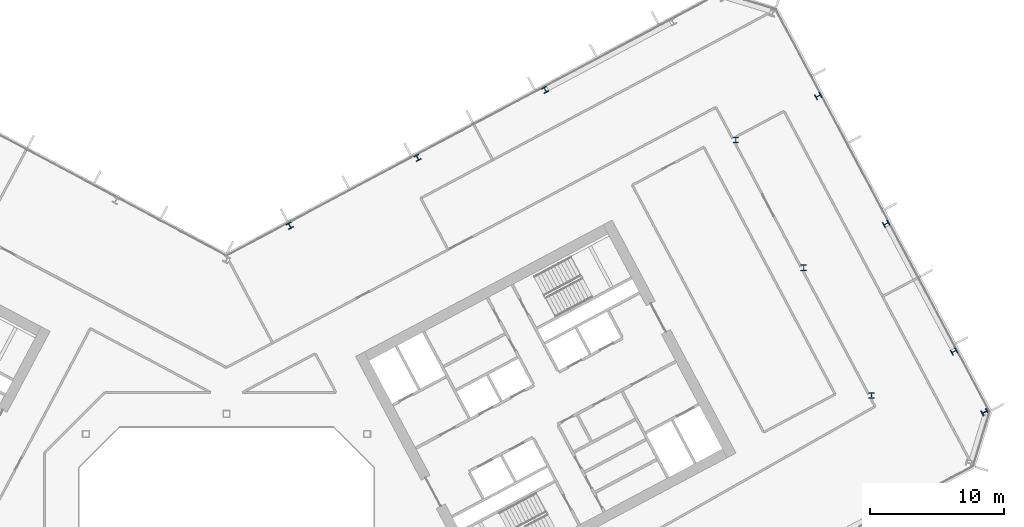
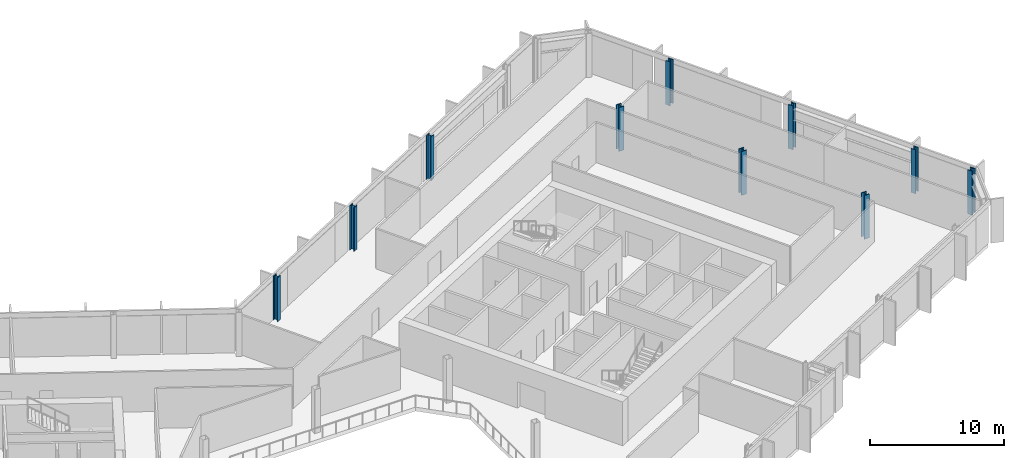
# One storey, part 7 of 28: 10 columns.
"""IFC4 building model written with IfcOpenShell, lengths in metres."""

from ifc_helpers import new_model, si_unit, direction, frame, origin, origin_2d, place, context, subcontext, project, spatial, i_section, extrude, material, material_profile, profile_set, type_object, element, save


model = new_model("IFC4")

# Units and contexts
model_context = context("Model", 3, precision=1e-05, world=origin(), true_north=direction((0.0, 1.0)))
body_context = subcontext(model_context, "Body", "Model", "MODEL_VIEW")
ifc_project = project(units=[si_unit("LENGTHUNIT", "METRE"), si_unit("AREAUNIT", "SQUARE_METRE"), si_unit("VOLUMEUNIT", "CUBIC_METRE"), si_unit("PLANEANGLEUNIT", "RADIAN"), si_unit("MASSUNIT", "GRAM", prefix="KILO")], contexts=[model_context])

# Site, building, storey
site_placement = place(None, origin())
site = spatial("IfcSite", under=ifc_project, at=site_placement, CompositionType="ELEMENT")
building_placement = place(site_placement, origin())
building = spatial("IfcBuilding", under=site, at=building_placement, Name="Cormorant Relay Tower", CompositionType="ELEMENT")
storey_placement = place(building_placement, frame((0.0, 0.0, 142.199951171875)))
storey = spatial("IfcBuildingStorey", under=building, at=storey_placement, Name="L29", CompositionType="ELEMENT", Elevation=142.199951171875)

# Columns
ifc_material_1 = material(Name="Steel ASTM A992 (Fy 345 MPa)", Category="steel")
ifc_material_profile_1 = material_profile(ifc_material_1, i_section(OverallWidth=0.41162109375, OverallDepth=0.434326171875, WebThickness=0.035888671875, FlangeThickness=0.057373046875, FilletRadius=0.01513671875, at=origin_2d()), Name="W360x463")
ifc_profile_set_1 = profile_set([ifc_material_profile_1], Name="Steel ASTM A992 (Fy 345 MPa)")
column_type_1 = type_object("IfcColumnType", Name="Column W360x463", PredefinedType="COLUMN", material=ifc_profile_set_1)
for number, where, z_axis, x_axis, name in (
    (1, (54.321044921875, 16.65087890625, 0.0), (0.0, 0.0, 1.0), (-0.469471562786, 0.882947592859, 0.0), "Column L29-029"),
    (2, (4.72509765625, 26.047119140625, 0.0), (0.0, 0.0, 1.0), (-0.882947592859, -0.469471562786, 0.0), "Column L29-034"),
    (3, (49.2509765625, 26.18701171875, 0.0), (0.0, 0.0, 1.0), (-0.469471562786, 0.882947592859, 0.0), "Column L29-035"),
    (4, (14.260986328125, 31.116943359375, 0.0), (0.0, 0.0, 1.0), (-0.882947592859, -0.469471562786, 0.0), "Column L29-038"),
    (5, (44.180908203125, 35.722900390625, 0.0), (0.0, 0.0, 1.0), (-0.469471562786, 0.882947592859, 0.0), "Column L29-042"),
    (6, (23.7958984375, 36.18798828125, 0.0), (0.0, 0.0, 1.0), (-0.882947592859, -0.469471562786, 0.0), "Column L29-043"),
):
    element("IfcColumn", number, at=place(storey_placement, frame(where, z_axis=z_axis, x_axis=x_axis)), inside=storey, type_object=column_type_1, Name=name, PredefinedType="COLUMN", context=body_context, shape_type="SweptSolid", body=[
        extrude(i_section(OverallWidth=0.41162109375, OverallDepth=0.434326171875, WebThickness=0.035888671875, FlangeThickness=0.057373046875, FilletRadius=0.01513671875, at=origin_2d()), origin(), (0.0, 0.0, 1.0), 4.0),
    ])
ifc_material_2 = material(Name="Steel ASTM A992 (Fy 345 MPa)", Category="steel")
ifc_material_profile_2 = material_profile(ifc_material_2, i_section(OverallWidth=0.42431640625, OverallDepth=0.47509765625, WebThickness=0.0478515625, FlangeThickness=0.0771484375, FilletRadius=0.014892578125, at=origin_2d()), Name="W360x634")
ifc_profile_set_2 = profile_set([ifc_material_profile_2], Name="Steel ASTM A992 (Fy 345 MPa)")
column_type_2 = type_object("IfcColumnType", Name="Column W360x634", PredefinedType="COLUMN", material=ifc_profile_set_2)
for number, where, z_axis, x_axis, name in (
    (7, (56.60791015625, 12.1298828125, 0.0), (0.0, 0.0, 1.0), (-0.469471562786, 0.882947592859, 0.0), "Column L29-026"),
    (8, (48.157958984375, 13.3740234375, 0.0), (0.0, 0.0, 1.0), (1.0, 0.0, 0.0), "Column L29-027"),
    (9, (43.087890625, 22.909912109375, 0.0), (0.0, 0.0, 1.0), (1.0, 0.0, 0.0), "Column L29-031"),
    (10, (38.01806640625, 32.446044921875, 0.0), (0.0, 0.0, 1.0), (1.0, 0.0, 0.0), "Column L29-039"),
):
    element("IfcColumn", number, at=place(storey_placement, frame(where, z_axis=z_axis, x_axis=x_axis)), inside=storey, type_object=column_type_2, Name=name, PredefinedType="COLUMN", context=body_context, shape_type="SweptSolid", body=[
        extrude(i_section(OverallWidth=0.42431640625, OverallDepth=0.47509765625, WebThickness=0.0478515625, FlangeThickness=0.0771484375, FilletRadius=0.014892578125, at=origin_2d()), origin(), (0.0, 0.0, 1.0), 4.0),
    ])

save(model, "model.ifc")
